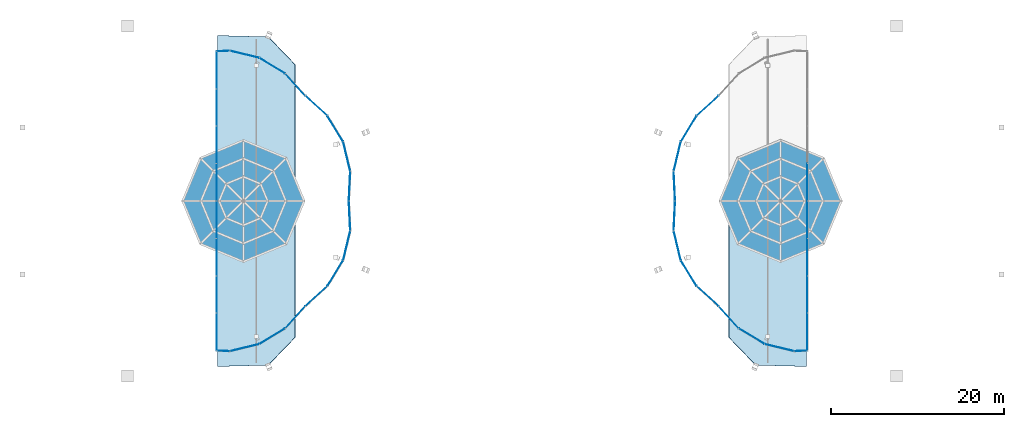
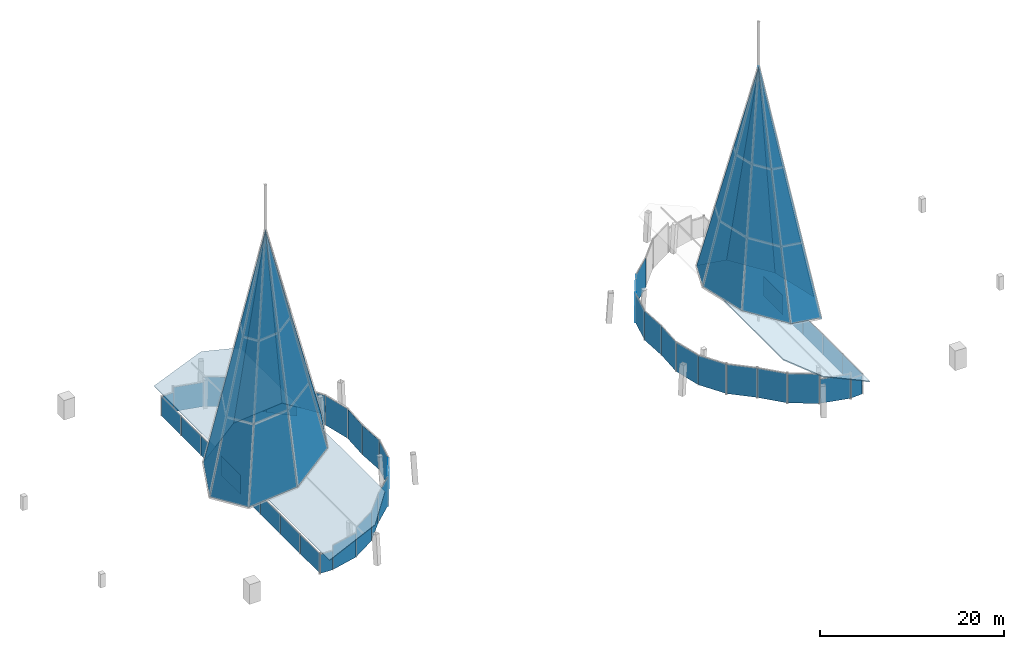
# One storey, part 12 of 16: 60 plates, 10 elements without a shape of their own.
"""IFC4 building model written with IfcOpenShell, lengths in metres."""

from ifc_helpers import new_model, si_unit, direction, frame, origin, origin_2d, place, context, subcontext, project, spatial, polyline, rectangle, outline, extrude, material, layer, layer_set, type_object, element, aggregate, save


model = new_model("IFC4")

# Units and contexts
model_context = context("Model", 3, precision=1e-05, world=origin(), true_north=direction((0.0, 1.0)))
body_context = subcontext(model_context, "Body", "Model", "MODEL_VIEW")
ifc_project = project(units=[si_unit("LENGTHUNIT", "METRE"), si_unit("AREAUNIT", "SQUARE_METRE"), si_unit("VOLUMEUNIT", "CUBIC_METRE"), si_unit("PLANEANGLEUNIT", "RADIAN"), si_unit("MASSUNIT", "GRAM", prefix="KILO")], contexts=[model_context])

# Site, building, storey
site_placement = place(None, origin())
site = spatial("IfcSite", under=ifc_project, at=site_placement, CompositionType="ELEMENT")
building_placement = place(site_placement, origin())
building = spatial("IfcBuilding", under=site, at=building_placement, Name="Ogive Gate Towers", CompositionType="ELEMENT")
storey_placement = place(building_placement, frame((0.0, 0.0, 310.0)))
storey = spatial("IfcBuildingStorey", under=building, at=storey_placement, Name="L73", CompositionType="ELEMENT", Elevation=310.0)

# Curtain wall, plates
ifc_material_1 = material(Name="Pale metal aluminium", Category="aluminium")
curtain_wall_type = type_object("IfcCurtainWallType", Name="Crown lean wall", PredefinedType="NOTDEFINED", material=ifc_material_1)
curtain_wall_1_placement = place(storey_placement, origin())
curtain_wall_1 = element("IfcCurtainWall", 1, at=curtain_wall_1_placement, inside=storey, type_object=curtain_wall_type, Name="CW5 T1 ECW01", PredefinedType="NOTDEFINED")
ifc_material_2 = material(Name="Clear glass", Category="glass")
ifc_layer_1 = layer(ifc_material_2, 0.028076171875)
ifc_layer_set_1 = layer_set([ifc_layer_1], Name="Crown lean wall glass panel")
plate_type_1 = type_object("IfcPlateType", Name="Crown lean wall glass panel", PredefinedType="CURTAIN_PANEL", material=ifc_layer_set_1)
plate_1_placement = place(storey_placement, frame((-22.583740234375, 10.98779296875, -0.2998046875), z_axis=(0.0, 0.0, 1.0), x_axis=(0.739772034167, -0.672857590776, 0.0)))
plate_1 = element("IfcPlate", 2, at=plate_1_placement, type_object=plate_type_1, Name="CW5 glass panel", PredefinedType="CURTAIN_PANEL", context=body_context, shape_type="SweptSolid", body=[
    extrude(rectangle(XDim=3.394287109375, YDim=0.028076171875, at=origin_2d()), origin(), (0.0, 0.0, 1.0), 3.904052734375),
])
plate_2_placement = place(storey_placement, frame((-20.396728515625, 8.334716796875, -0.2998046875), z_axis=(0.0, 0.0, 1.0), x_axis=(0.521188387673, -0.853441658554, 0.0)))
plate_2 = element("IfcPlate", 3, at=plate_2_placement, type_object=plate_type_1, Name="CW5 glass panel", PredefinedType="CURTAIN_PANEL", context=body_context, shape_type="SweptSolid", body=[
    extrude(rectangle(XDim=3.448486328125, YDim=0.028076171875, at=origin_2d()), origin(), (0.0, 0.0, 1.0), 3.904052734375),
])
plate_3_placement = place(storey_placement, frame((-19.0732421875, 5.139404296875, -0.2998046875), z_axis=(0.0, 0.0, 1.0), x_axis=(0.234938540911, -0.97201022731, 0.0)))
plate_3 = element("IfcPlate", 4, at=plate_3_placement, type_object=plate_type_1, Name="CW5 glass panel", PredefinedType="CURTAIN_PANEL", context=body_context, shape_type="SweptSolid", body=[
    extrude(rectangle(XDim=3.448486328125, YDim=0.028076171875, at=origin_2d()), origin(), (0.0, 0.0, 1.0), 3.904052734375),
])
plate_4_placement = place(storey_placement, frame((-18.74365234375, 1.717041015625, -0.2998046875), z_axis=(0.0, 0.0, 1.0), x_axis=(-0.047298222929, -0.998880812764, 0.0)))
plate_4 = element("IfcPlate", 5, at=plate_4_placement, type_object=plate_type_1, Name="CW5 glass panel", PredefinedType="CURTAIN_PANEL", context=body_context, shape_type="SweptSolid", body=[
    extrude(rectangle(XDim=3.39404296875, YDim=0.028076171875, at=origin_2d()), origin(), (0.0, 0.0, 1.0), 3.904052734375),
])
aggregate(curtain_wall_1, [plate_1, plate_2, plate_3, plate_4])

curtain_wall_2_placement = place(storey_placement, origin())
curtain_wall_2 = element("IfcCurtainWall", 6, at=curtain_wall_2_placement, inside=storey, type_object=curtain_wall_type, Name="CW5 T1 ECW02", PredefinedType="NOTDEFINED")
plate_5_placement = place(storey_placement, frame((-30.8623046875, 16.92724609375, -0.300048828125), z_axis=(0.0, 0.0, 1.0), x_axis=(0.97201022731, -0.234938540911, 0.0)))
plate_5 = element("IfcPlate", 7, at=plate_5_placement, type_object=plate_type_1, Name="CW5 glass panel", PredefinedType="CURTAIN_PANEL", context=body_context, shape_type="SweptSolid", body=[
    extrude(rectangle(XDim=3.452392578125, YDim=0.028076171875, at=origin_2d()), origin(), (0.0, 0.0, 1.0), 3.22216796875),
])
plate_6_placement = place(storey_placement, frame((-27.665283203125, 15.603271484375, -0.2998046875), z_axis=(0.0, 0.0, 1.0), x_axis=(0.853441658554, -0.521188387673, 0.0)))
plate_6 = element("IfcPlate", 8, at=plate_6_placement, type_object=plate_type_1, Name="CW5 glass panel", PredefinedType="CURTAIN_PANEL", context=body_context, shape_type="SweptSolid", body=[
    extrude(rectangle(XDim=3.448486328125, YDim=0.028076171875, at=origin_2d()), origin(), (0.0, 0.0, 1.0), 3.904052734375),
])
plate_7_placement = place(storey_placement, frame((-25.01220703125, 13.416259765625, -0.2998046875), z_axis=(0.0, 0.0, 1.0), x_axis=(0.672857590776, -0.739772034167, 0.0)))
plate_7 = element("IfcPlate", 9, at=plate_7_placement, type_object=plate_type_1, Name="CW5 glass panel", PredefinedType="CURTAIN_PANEL", context=body_context, shape_type="SweptSolid", body=[
    extrude(rectangle(XDim=3.394287109375, YDim=0.028076171875, at=origin_2d()), origin(), (0.0, 0.0, 1.0), 3.904052734375),
])
aggregate(curtain_wall_2, [plate_5, plate_6, plate_7])

curtain_wall_3_placement = place(storey_placement, origin())
curtain_wall_3 = element("IfcCurtainWall", 10, at=curtain_wall_3_placement, inside=storey, type_object=curtain_wall_type, Name="CW5 T1 ECW02b", PredefinedType="NOTDEFINED")
plate_8_placement = place(storey_placement, frame((-34.088134765625, 2.158203125, -0.300048828125), z_axis=(0.0, 0.0, 1.0), x_axis=(0.0, 1.0, 0.0)))
plate_8 = element("IfcPlate", 11, at=plate_8_placement, type_object=plate_type_1, Name="CW5 glass panel", PredefinedType="CURTAIN_PANEL", context=body_context, shape_type="SweptSolid", body=[
    extrude(rectangle(XDim=4.2724609375, YDim=0.028076171875, at=origin_2d()), origin(), (0.0, 0.0, 1.0), 2.583984375),
])
plate_9_placement = place(storey_placement, frame((-34.088134765625, 6.474609375, -0.300048828125), z_axis=(0.0, 0.0, 1.0), x_axis=(0.0, 1.0, 0.0)))
plate_9 = element("IfcPlate", 12, at=plate_9_placement, type_object=plate_type_1, Name="CW5 glass panel", PredefinedType="CURTAIN_PANEL", context=body_context, shape_type="SweptSolid", body=[
    extrude(rectangle(XDim=4.2724609375, YDim=0.028076171875, at=origin_2d()), origin(), (0.0, 0.0, 1.0), 2.583984375),
])
plate_10_placement = place(storey_placement, frame((-34.088134765625, 10.791015625, -0.300048828125), z_axis=(0.0, 0.0, 1.0), x_axis=(0.0, 1.0, 0.0)))
plate_10 = element("IfcPlate", 13, at=plate_10_placement, type_object=plate_type_1, Name="CW5 glass panel", PredefinedType="CURTAIN_PANEL", context=body_context, shape_type="SweptSolid", body=[
    extrude(rectangle(XDim=4.2724609375, YDim=0.028076171875, at=origin_2d()), origin(), (0.0, 0.0, 1.0), 2.583984375),
])
plate_11_placement = place(storey_placement, frame((-34.088134765625, 15.099609375, -0.300048828125), z_axis=(0.0, 0.0, 1.0), x_axis=(0.0, 1.0, 0.0)))
plate_11 = element("IfcPlate", 14, at=plate_11_placement, type_object=plate_type_1, Name="CW5 glass panel", PredefinedType="CURTAIN_PANEL", context=body_context, shape_type="SweptSolid", body=[
    extrude(rectangle(XDim=4.257080078125, YDim=0.028076171875, at=origin_2d()), origin(), (0.0, 0.0, 1.0), 2.583984375),
])
plate_12_placement = place(storey_placement, frame((-33.3173828125, 17.302001953125, -0.2998046875), z_axis=(0.0, 0.0, 1.0), x_axis=(0.998879987102, 0.047315656681, 0.0)))
plate_12 = element("IfcPlate", 15, at=plate_12_placement, type_object=plate_type_1, Name="CW5 glass panel", PredefinedType="CURTAIN_PANEL", context=body_context, shape_type="SweptSolid", body=[
    extrude(rectangle(XDim=1.468994140625, YDim=0.028076171875, at=origin_2d()), origin(), (0.0, 0.0, 1.0), 2.539306640625),
])
aggregate(curtain_wall_3, [plate_8, plate_9, plate_10, plate_11, plate_12])

curtain_wall_4_placement = place(storey_placement, origin())
curtain_wall_4 = element("IfcCurtainWall", 16, at=curtain_wall_4_placement, inside=storey, type_object=curtain_wall_type, Name="CW5 T1 ECW03", PredefinedType="NOTDEFINED")
plate_13_placement = place(storey_placement, frame((-25.01220703125, -13.416259765625, -0.2998046875), z_axis=(0.0, 0.0, 1.0), x_axis=(-0.672857590776, -0.739772034167, 0.0)))
plate_13 = element("IfcPlate", 17, at=plate_13_placement, type_object=plate_type_1, Name="CW5 glass panel", PredefinedType="CURTAIN_PANEL", context=body_context, shape_type="SweptSolid", body=[
    extrude(rectangle(XDim=3.394287109375, YDim=0.028076171875, at=origin_2d()), origin(), (0.0, 0.0, 1.0), 3.904052734375),
])
plate_14_placement = place(storey_placement, frame((-27.665283203125, -15.603271484375, -0.2998046875), z_axis=(0.0, 0.0, 1.0), x_axis=(-0.853441658554, -0.521188387673, 0.0)))
plate_14 = element("IfcPlate", 18, at=plate_14_placement, type_object=plate_type_1, Name="CW5 glass panel", PredefinedType="CURTAIN_PANEL", context=body_context, shape_type="SweptSolid", body=[
    extrude(rectangle(XDim=3.448486328125, YDim=0.028076171875, at=origin_2d()), origin(), (0.0, 0.0, 1.0), 3.904052734375),
])
plate_15_placement = place(storey_placement, frame((-30.860595703125, -16.9267578125, -0.300048828125), z_axis=(0.0, 0.0, 1.0), x_axis=(-0.97201022731, -0.234938540911, 0.0)))
plate_15 = element("IfcPlate", 19, at=plate_15_placement, type_object=plate_type_1, Name="CW5 glass panel", PredefinedType="CURTAIN_PANEL", context=body_context, shape_type="SweptSolid", body=[
    extrude(rectangle(XDim=3.448486328125, YDim=0.028076171875, at=origin_2d()), origin(), (0.0, 0.0, 1.0), 3.22216796875),
])
plate_16_placement = place(storey_placement, frame((-33.3193359375, -17.302001953125, -0.2998046875), z_axis=(0.0, 0.0, 1.0), x_axis=(-0.998879987102, 0.047315656681, 0.0)))
plate_16 = element("IfcPlate", 20, at=plate_16_placement, type_object=plate_type_1, Name="CW5 glass panel", PredefinedType="CURTAIN_PANEL", context=body_context, shape_type="SweptSolid", body=[
    extrude(rectangle(XDim=1.46484375, YDim=0.028076171875, at=origin_2d()), origin(), (0.0, 0.0, 1.0), 2.539306640625),
])
plate_17_placement = place(storey_placement, frame((-34.088134765625, -15.099609375, -0.300048828125), z_axis=(0.0, 0.0, 1.0), x_axis=(0.0, 1.0, 0.0)))
plate_17 = element("IfcPlate", 21, at=plate_17_placement, type_object=plate_type_1, Name="CW5 glass panel", PredefinedType="CURTAIN_PANEL", context=body_context, shape_type="SweptSolid", body=[
    extrude(rectangle(XDim=4.257080078125, YDim=0.028076171875, at=origin_2d()), origin(), (0.0, 0.0, 1.0), 2.583984375),
])
plate_18_placement = place(storey_placement, frame((-34.088134765625, -10.791015625, -0.300048828125), z_axis=(0.0, 0.0, 1.0), x_axis=(0.0, 1.0, 0.0)))
plate_18 = element("IfcPlate", 22, at=plate_18_placement, type_object=plate_type_1, Name="CW5 glass panel", PredefinedType="CURTAIN_PANEL", context=body_context, shape_type="SweptSolid", body=[
    extrude(rectangle(XDim=4.2724609375, YDim=0.028076171875, at=origin_2d()), origin(), (0.0, 0.0, 1.0), 2.583984375),
])
plate_19_placement = place(storey_placement, frame((-34.088134765625, -6.474609375, -0.300048828125), z_axis=(0.0, 0.0, 1.0), x_axis=(0.0, 1.0, 0.0)))
plate_19 = element("IfcPlate", 23, at=plate_19_placement, type_object=plate_type_1, Name="CW5 glass panel", PredefinedType="CURTAIN_PANEL", context=body_context, shape_type="SweptSolid", body=[
    extrude(rectangle(XDim=4.2724609375, YDim=0.028076171875, at=origin_2d()), origin(), (0.0, 0.0, 1.0), 2.583984375),
])
plate_20_placement = place(storey_placement, frame((-34.088134765625, -2.158203125, -0.300048828125), z_axis=(0.0, 0.0, 1.0), x_axis=(0.0, 1.0, 0.0)))
plate_20 = element("IfcPlate", 24, at=plate_20_placement, type_object=plate_type_1, Name="CW5 glass panel", PredefinedType="CURTAIN_PANEL", context=body_context, shape_type="SweptSolid", body=[
    extrude(rectangle(XDim=4.2724609375, YDim=0.028076171875, at=origin_2d()), origin(), (0.0, 0.0, 1.0), 2.583984375),
])
aggregate(curtain_wall_4, [plate_13, plate_14, plate_15, plate_16, plate_17, plate_18, plate_19, plate_20])

curtain_wall_5_placement = place(storey_placement, origin())
curtain_wall_5 = element("IfcCurtainWall", 25, at=curtain_wall_5_placement, inside=storey, type_object=curtain_wall_type, Name="CW5 T1 ECW04", PredefinedType="NOTDEFINED")
plate_21_placement = place(storey_placement, frame((-18.74365234375, -1.717041015625, -0.2998046875), z_axis=(0.0, 0.0, 1.0), x_axis=(0.047298222929, -0.998880812764, 0.0)))
plate_21 = element("IfcPlate", 26, at=plate_21_placement, type_object=plate_type_1, Name="CW5 glass panel", PredefinedType="CURTAIN_PANEL", context=body_context, shape_type="SweptSolid", body=[
    extrude(rectangle(XDim=3.39404296875, YDim=0.028076171875, at=origin_2d()), origin(), (0.0, 0.0, 1.0), 3.904052734375),
])
plate_22_placement = place(storey_placement, frame((-19.0732421875, -5.139404296875, -0.2998046875), z_axis=(0.0, 0.0, 1.0), x_axis=(-0.234938540911, -0.97201022731, 0.0)))
plate_22 = element("IfcPlate", 27, at=plate_22_placement, type_object=plate_type_1, Name="CW5 glass panel", PredefinedType="CURTAIN_PANEL", context=body_context, shape_type="SweptSolid", body=[
    extrude(rectangle(XDim=3.448486328125, YDim=0.028076171875, at=origin_2d()), origin(), (0.0, 0.0, 1.0), 3.904052734375),
])
plate_23_placement = place(storey_placement, frame((-20.396728515625, -8.334716796875, -0.2998046875), z_axis=(0.0, 0.0, 1.0), x_axis=(-0.521188387673, -0.853441658554, 0.0)))
plate_23 = element("IfcPlate", 28, at=plate_23_placement, type_object=plate_type_1, Name="CW5 glass panel", PredefinedType="CURTAIN_PANEL", context=body_context, shape_type="SweptSolid", body=[
    extrude(rectangle(XDim=3.448486328125, YDim=0.028076171875, at=origin_2d()), origin(), (0.0, 0.0, 1.0), 3.904052734375),
])
plate_24_placement = place(storey_placement, frame((-22.583740234375, -10.98779296875, -0.2998046875), z_axis=(0.0, 0.0, 1.0), x_axis=(-0.739772034167, -0.672857590776, 0.0)))
plate_24 = element("IfcPlate", 29, at=plate_24_placement, type_object=plate_type_1, Name="CW5 glass panel", PredefinedType="CURTAIN_PANEL", context=body_context, shape_type="SweptSolid", body=[
    extrude(rectangle(XDim=3.394287109375, YDim=0.028076171875, at=origin_2d()), origin(), (0.0, 0.0, 1.0), 3.904052734375),
])
aggregate(curtain_wall_5, [plate_21, plate_22, plate_23, plate_24])

# Curtain wall, plate
curtain_wall_6_placement = place(storey_placement, origin())
curtain_wall_6 = element("IfcCurtainWall", 30, at=curtain_wall_6_placement, inside=storey, type_object=curtain_wall_type, Name="CW5 T2 ECW01", PredefinedType="NOTDEFINED")
plate_25_placement = place(storey_placement, frame((34.088134765625, 2.158203125, -0.300048828125), z_axis=(0.0, 0.0, 1.0), x_axis=(0.0, -1.0, 0.0)))
plate_25 = element("IfcPlate", 31, at=plate_25_placement, type_object=plate_type_1, Name="CW5 glass panel", PredefinedType="CURTAIN_PANEL", context=body_context, shape_type="SweptSolid", body=[
    extrude(rectangle(XDim=4.2724609375, YDim=0.028076171875, at=origin_2d()), origin(), (0.0, 0.0, 1.0), 2.583984375),
])
aggregate(curtain_wall_6, [plate_25])

# Curtain wall, plates
curtain_wall_7_placement = place(storey_placement, origin())
curtain_wall_7 = element("IfcCurtainWall", 32, at=curtain_wall_7_placement, inside=storey, type_object=curtain_wall_type, Name="CW5 T2 ECW02", PredefinedType="NOTDEFINED")
plate_26_placement = place(storey_placement, frame((18.74365234375, 1.717041015625, -0.2998046875), z_axis=(0.0, 0.0, 1.0), x_axis=(-0.047298222929, 0.998880812764, 0.0)))
plate_26 = element("IfcPlate", 33, at=plate_26_placement, type_object=plate_type_1, Name="CW5 glass panel", PredefinedType="CURTAIN_PANEL", context=body_context, shape_type="SweptSolid", body=[
    extrude(rectangle(XDim=3.39404296875, YDim=0.028076171875, at=origin_2d()), origin(), (0.0, 0.0, 1.0), 3.904052734375),
])
plate_27_placement = place(storey_placement, frame((19.0732421875, 5.139404296875, -0.2998046875), z_axis=(0.0, 0.0, 1.0), x_axis=(0.234938540911, 0.97201022731, 0.0)))
plate_27 = element("IfcPlate", 34, at=plate_27_placement, type_object=plate_type_1, Name="CW5 glass panel", PredefinedType="CURTAIN_PANEL", context=body_context, shape_type="SweptSolid", body=[
    extrude(rectangle(XDim=3.448486328125, YDim=0.028076171875, at=origin_2d()), origin(), (0.0, 0.0, 1.0), 3.904052734375),
])
plate_28_placement = place(storey_placement, frame((20.396728515625, 8.334716796875, -0.2998046875), z_axis=(0.0, 0.0, 1.0), x_axis=(0.521188387673, 0.853441658554, 0.0)))
plate_28 = element("IfcPlate", 35, at=plate_28_placement, type_object=plate_type_1, Name="CW5 glass panel", PredefinedType="CURTAIN_PANEL", context=body_context, shape_type="SweptSolid", body=[
    extrude(rectangle(XDim=3.448486328125, YDim=0.028076171875, at=origin_2d()), origin(), (0.0, 0.0, 1.0), 3.904052734375),
])
plate_29_placement = place(storey_placement, frame((22.583740234375, 10.98779296875, -0.2998046875), z_axis=(0.0, 0.0, 1.0), x_axis=(0.739772034167, 0.672857590776, 0.0)))
plate_29 = element("IfcPlate", 36, at=plate_29_placement, type_object=plate_type_1, Name="CW5 glass panel", PredefinedType="CURTAIN_PANEL", context=body_context, shape_type="SweptSolid", body=[
    extrude(rectangle(XDim=3.394287109375, YDim=0.028076171875, at=origin_2d()), origin(), (0.0, 0.0, 1.0), 3.904052734375),
])
aggregate(curtain_wall_7, [plate_26, plate_27, plate_28, plate_29])

curtain_wall_8_placement = place(storey_placement, origin())
curtain_wall_8 = element("IfcCurtainWall", 37, at=curtain_wall_8_placement, inside=storey, type_object=curtain_wall_type, Name="CW5 T2 ECW03", PredefinedType="NOTDEFINED")
plate_30_placement = place(storey_placement, frame((22.583740234375, -10.98779296875, -0.2998046875), z_axis=(0.0, 0.0, 1.0), x_axis=(-0.739772034167, 0.672857590776, 0.0)))
plate_30 = element("IfcPlate", 38, at=plate_30_placement, type_object=plate_type_1, Name="CW5 glass panel", PredefinedType="CURTAIN_PANEL", context=body_context, shape_type="SweptSolid", body=[
    extrude(rectangle(XDim=3.394287109375, YDim=0.028076171875, at=origin_2d()), origin(), (0.0, 0.0, 1.0), 3.904052734375),
])
plate_31_placement = place(storey_placement, frame((20.396728515625, -8.334716796875, -0.2998046875), z_axis=(0.0, 0.0, 1.0), x_axis=(-0.521188387673, 0.853441658554, 0.0)))
plate_31 = element("IfcPlate", 39, at=plate_31_placement, type_object=plate_type_1, Name="CW5 glass panel", PredefinedType="CURTAIN_PANEL", context=body_context, shape_type="SweptSolid", body=[
    extrude(rectangle(XDim=3.448486328125, YDim=0.028076171875, at=origin_2d()), origin(), (0.0, 0.0, 1.0), 3.904052734375),
])
plate_32_placement = place(storey_placement, frame((19.0732421875, -5.139404296875, -0.2998046875), z_axis=(0.0, 0.0, 1.0), x_axis=(-0.234938540911, 0.97201022731, 0.0)))
plate_32 = element("IfcPlate", 40, at=plate_32_placement, type_object=plate_type_1, Name="CW5 glass panel", PredefinedType="CURTAIN_PANEL", context=body_context, shape_type="SweptSolid", body=[
    extrude(rectangle(XDim=3.448486328125, YDim=0.028076171875, at=origin_2d()), origin(), (0.0, 0.0, 1.0), 3.904052734375),
])
plate_33_placement = place(storey_placement, frame((18.74365234375, -1.717041015625, -0.2998046875), z_axis=(0.0, 0.0, 1.0), x_axis=(0.047298222929, 0.998880812764, 0.0)))
plate_33 = element("IfcPlate", 41, at=plate_33_placement, type_object=plate_type_1, Name="CW5 glass panel", PredefinedType="CURTAIN_PANEL", context=body_context, shape_type="SweptSolid", body=[
    extrude(rectangle(XDim=3.39404296875, YDim=0.028076171875, at=origin_2d()), origin(), (0.0, 0.0, 1.0), 3.904052734375),
])
aggregate(curtain_wall_8, [plate_30, plate_31, plate_32, plate_33])

curtain_wall_9_placement = place(storey_placement, origin())
curtain_wall_9 = element("IfcCurtainWall", 42, at=curtain_wall_9_placement, inside=storey, type_object=curtain_wall_type, Name="CW5 T2 ECW04", PredefinedType="NOTDEFINED")
plate_34_placement = place(storey_placement, frame((30.8623046875, -16.92724609375, -0.300048828125), z_axis=(0.0, 0.0, 1.0), x_axis=(-0.97201022731, 0.234938540911, 0.0)))
plate_34 = element("IfcPlate", 43, at=plate_34_placement, type_object=plate_type_1, Name="CW5 glass panel", PredefinedType="CURTAIN_PANEL", context=body_context, shape_type="SweptSolid", body=[
    extrude(rectangle(XDim=3.452392578125, YDim=0.028076171875, at=origin_2d()), origin(), (0.0, 0.0, 1.0), 3.22216796875),
])
plate_35_placement = place(storey_placement, frame((27.665283203125, -15.603271484375, -0.2998046875), z_axis=(0.0, 0.0, 1.0), x_axis=(-0.853441658554, 0.521188387673, 0.0)))
plate_35 = element("IfcPlate", 44, at=plate_35_placement, type_object=plate_type_1, Name="CW5 glass panel", PredefinedType="CURTAIN_PANEL", context=body_context, shape_type="SweptSolid", body=[
    extrude(rectangle(XDim=3.448486328125, YDim=0.028076171875, at=origin_2d()), origin(), (0.0, 0.0, 1.0), 3.904052734375),
])
plate_36_placement = place(storey_placement, frame((25.01220703125, -13.416259765625, -0.2998046875), z_axis=(0.0, 0.0, 1.0), x_axis=(-0.672857590776, 0.739772034167, 0.0)))
plate_36 = element("IfcPlate", 45, at=plate_36_placement, type_object=plate_type_1, Name="CW5 glass panel", PredefinedType="CURTAIN_PANEL", context=body_context, shape_type="SweptSolid", body=[
    extrude(rectangle(XDim=3.394287109375, YDim=0.028076171875, at=origin_2d()), origin(), (0.0, 0.0, 1.0), 3.904052734375),
])
aggregate(curtain_wall_9, [plate_34, plate_35, plate_36])

curtain_wall_10_placement = place(storey_placement, origin())
curtain_wall_10 = element("IfcCurtainWall", 46, at=curtain_wall_10_placement, inside=storey, type_object=curtain_wall_type, Name="CW5 T2 ECW04b", PredefinedType="NOTDEFINED")
plate_37_placement = place(storey_placement, frame((34.088134765625, -2.158203125, -0.300048828125), z_axis=(0.0, 0.0, 1.0), x_axis=(0.0, -1.0, 0.0)))
plate_37 = element("IfcPlate", 47, at=plate_37_placement, type_object=plate_type_1, Name="CW5 glass panel", PredefinedType="CURTAIN_PANEL", context=body_context, shape_type="SweptSolid", body=[
    extrude(rectangle(XDim=4.2724609375, YDim=0.028076171875, at=origin_2d()), origin(), (0.0, 0.0, 1.0), 2.583984375),
])
plate_38_placement = place(storey_placement, frame((34.088134765625, -6.474609375, -0.300048828125), z_axis=(0.0, 0.0, 1.0), x_axis=(0.0, -1.0, 0.0)))
plate_38 = element("IfcPlate", 48, at=plate_38_placement, type_object=plate_type_1, Name="CW5 glass panel", PredefinedType="CURTAIN_PANEL", context=body_context, shape_type="SweptSolid", body=[
    extrude(rectangle(XDim=4.2724609375, YDim=0.028076171875, at=origin_2d()), origin(), (0.0, 0.0, 1.0), 2.583984375),
])
plate_39_placement = place(storey_placement, frame((34.088134765625, -10.791015625, -0.300048828125), z_axis=(0.0, 0.0, 1.0), x_axis=(0.0, -1.0, 0.0)))
plate_39 = element("IfcPlate", 49, at=plate_39_placement, type_object=plate_type_1, Name="CW5 glass panel", PredefinedType="CURTAIN_PANEL", context=body_context, shape_type="SweptSolid", body=[
    extrude(rectangle(XDim=4.2724609375, YDim=0.028076171875, at=origin_2d()), origin(), (0.0, 0.0, 1.0), 2.583984375),
])
plate_40_placement = place(storey_placement, frame((34.088134765625, -15.099609375, -0.300048828125), z_axis=(0.0, 0.0, 1.0), x_axis=(0.0, -1.0, 0.0)))
plate_40 = element("IfcPlate", 50, at=plate_40_placement, type_object=plate_type_1, Name="CW5 glass panel", PredefinedType="CURTAIN_PANEL", context=body_context, shape_type="SweptSolid", body=[
    extrude(rectangle(XDim=4.257080078125, YDim=0.028076171875, at=origin_2d()), origin(), (0.0, 0.0, 1.0), 2.583984375),
])
plate_41_placement = place(storey_placement, frame((33.3173828125, -17.302001953125, -0.2998046875), z_axis=(0.0, 0.0, 1.0), x_axis=(-0.998879987102, -0.047315656681, 0.0)))
plate_41 = element("IfcPlate", 51, at=plate_41_placement, type_object=plate_type_1, Name="CW5 glass panel", PredefinedType="CURTAIN_PANEL", context=body_context, shape_type="SweptSolid", body=[
    extrude(rectangle(XDim=1.468994140625, YDim=0.028076171875, at=origin_2d()), origin(), (0.0, 0.0, 1.0), 2.539306640625),
])
aggregate(curtain_wall_10, [plate_37, plate_38, plate_39, plate_40, plate_41])

# Plates
ifc_layer_2 = layer(ifc_material_2, 0.1201171875)
ifc_layer_set_2 = layer_set([ifc_layer_2], Name="Glazed crown roof")
plate_type_2 = type_object("IfcPlateType", Name="Glazed crown roof", PredefinedType="SHEET", material=ifc_layer_set_2)
plate_42_placement = place(storey_placement, frame((-25.047119140625, 2.52783203125, 6.531005859375), z_axis=(-0.408365976674, 1.752866e-06, 0.912818289197), x_axis=(-0.377188380039, 0.91063408119, -0.168743877338)))
element("IfcPlate", 52, at=plate_42_placement, inside=storey, type_object=plate_type_2, Name="Glazed crown roof", PredefinedType="SHEET", context=body_context, shape_type="SweptSolid", body=[
    extrude(outline(polyline([(0.0, 0.0), (2.659547945686246, -3.3306690738754696e-16), (6.767245503840791, 4.090659099161297), (6.992810067402706, 7.583282196251067), (19.143638942731645, 2.0696635172903397), (16.36511009939066, -3.6961615852815686), (12.037444260727671, -5.46216872971145), (0.0, 0.0)])), origin(), (0.0, 0.0, -1.0), 0.1201171875),
])
plate_43_placement = place(storey_placement, frame((-25.047119140625, -15.74658203125, 6.531005859375), z_axis=(-0.408365976674, -1.752866e-06, 0.912818289197), x_axis=(-0.663295406154, -0.687011913158, -0.296738665081)))
element("IfcPlate", 53, at=plate_43_placement, inside=storey, type_object=plate_type_2, Name="Glazed crown roof", PredefinedType="SHEET", context=body_context, shape_type="SweptSolid", body=[
    extrude(outline(polyline([(0.0, 0.0), (4.674128030478838, 2.7755575615628914e-16), (9.42518160388015, -4.288642161500163), (0.2582018427150172, -13.984471953369502), (-1.270246961386161, -10.835958062038946), (-6.619025477829481, -8.60050744150305), (-9.081438727056115, -9.605353830478528), (0.0, 0.0)])), origin(), (0.0, 0.0, -1.0), 0.1201171875),
])
plate_44_placement = place(storey_placement, frame((25.047119140625, -2.52783203125, 6.531005859375), z_axis=(0.408365976674, -1.752866e-06, 0.912818289197), x_axis=(0.377188380039, -0.91063408119, -0.168743877338)))
element("IfcPlate", 54, at=plate_44_placement, inside=storey, type_object=plate_type_2, Name="Glazed crown roof", PredefinedType="SHEET", context=body_context, shape_type="SweptSolid", body=[
    extrude(outline(polyline([(0.0, 0.0), (2.659547945686246, -3.3306690738754696e-16), (6.767245503840791, 4.090659099161297), (6.992810067402706, 7.583282196251067), (19.143638942731645, 2.0696635172903397), (16.36511009939066, -3.6961615852815686), (12.037444260727671, -5.46216872971145), (0.0, 0.0)])), origin(), (0.0, 0.0, -1.0), 0.1201171875),
])
ifc_layer_3 = layer(ifc_material_2, 0.0400390625)
ifc_layer_set_3 = layer_set([ifc_layer_3], Name="Lantern glass 40")
plate_type_3 = type_object("IfcPlateType", Name="Lantern glass 40", PredefinedType="SHEET", material=ifc_layer_set_3)
plate_45_placement = place(storey_placement, frame((-31.0, 0.0, 33.867919921875), z_axis=(0.883267686411, 0.408514900075, 0.230116862828), x_axis=(0.252113335072, 0.0, -0.967697714309)))
element("IfcPlate", 55, at=plate_45_placement, inside=storey, type_object=plate_type_3, Name="Lantern glass", PredefinedType="SHEET", context=body_context, shape_type="SweptSolid", body=[
    extrude(outline(polyline([(0.0, 0.0), (27.765290550789395, 4.440892098500626e-16), (28.13599185077112, 5.4228409510823266), (0.0, 0.0)])), origin(), (0.0, 0.0, -1.0), 0.0400390625),
])
plate_46_placement = place(storey_placement, frame((-31.0, 0.0, 33.867919921875), z_axis=(0.288870127841, 0.93232469703, 0.217542429307), x_axis=(0.172741627856, 0.172741627856, -0.969701325157)))
element("IfcPlate", 56, at=plate_46_placement, inside=storey, type_object=plate_type_3, Name="Lantern glass", PredefinedType="SHEET", context=body_context, shape_type="SweptSolid", body=[
    extrude(outline(polyline([(0.0, 0.0), (28.653817222272398, -4.440892098500626e-16), (30.30023114970494, 5.558416345907401), (0.0, 0.0)])), origin(), (0.0, 0.0, -1.0), 0.0400390625),
])
plate_47_placement = place(storey_placement, frame((-31.0, 0.0, 33.867919921875), z_axis=(-0.450812884002, 0.869268656463, 0.202829353175), x_axis=(0.0, 0.227229615606, -0.973841209742)))
element("IfcPlate", 57, at=plate_47_placement, inside=storey, type_object=plate_type_3, Name="Lantern glass", PredefinedType="SHEET", context=body_context, shape_type="SweptSolid", body=[
    extrude(outline(polyline([(0.0, 0.0), (30.805843601498726, 0.0), (32.49638692681498, 5.545154133125885), (0.0, 0.0)])), origin(), (0.0, 0.0, -1.0), 0.0400390625),
])
plate_48_placement = place(storey_placement, frame((-31.0, 0.0, 33.867919921875), z_axis=(-0.918507074974, 0.344507017554, 0.194060990617), x_axis=(-0.15014535214, 0.15014535214, -0.977196370471)))
element("IfcPlate", 58, at=plate_48_placement, inside=storey, type_object=plate_type_3, Name="Lantern glass", PredefinedType="SHEET", context=body_context, shape_type="SweptSolid", body=[
    extrude(outline(polyline([(0.0, 0.0), (32.96610225151579, 1.3322676295501878e-15), (33.427088716808626, 5.415913119074237), (0.0, 0.0)])), origin(), (0.0, 0.0, -1.0), 0.0400390625),
])
plate_49_placement = place(storey_placement, frame((-31.0, 0.0, 33.867919921875), z_axis=(-0.918507074974, -0.344507017554, 0.194060990617), x_axis=(-0.206715329492, 0.0, -0.978401130699)))
element("IfcPlate", 59, at=plate_49_placement, inside=storey, type_object=plate_type_3, Name="Lantern glass", PredefinedType="SHEET", context=body_context, shape_type="SweptSolid", body=[
    extrude(outline(polyline([(0.0, 0.0), (33.86299418236307, -4.440892098500626e-16), (32.54174213521672, 5.2724677772799335), (0.0, 0.0)])), origin(), (0.0, 0.0, -1.0), 0.0400390625),
])
plate_50_placement = place(storey_placement, frame((-31.0, 0.0, 33.867919921875), z_axis=(-0.450812884002, -0.869268656463, 0.202829353175), x_axis=(-0.15014535214, -0.15014535214, -0.977196370471)))
element("IfcPlate", 60, at=plate_50_placement, inside=storey, type_object=plate_type_3, Name="Lantern glass", PredefinedType="SHEET", context=body_context, shape_type="SweptSolid", body=[
    extrude(outline(polyline([(0.0, 0.0), (32.96610225151579, 4.440892098500626e-16), (30.36690857910629, 5.181781869994224), (0.0, 0.0)])), origin(), (0.0, 0.0, -1.0), 0.0400390625),
])
plate_51_placement = place(storey_placement, frame((-31.0, 0.0, 33.867919921875), z_axis=(0.288870127841, -0.93232469703, 0.217542429307), x_axis=(0.0, -0.227229615606, -0.973841209742)))
element("IfcPlate", 61, at=plate_51_placement, inside=storey, type_object=plate_type_3, Name="Lantern glass", PredefinedType="SHEET", context=body_context, shape_type="SweptSolid", body=[
    extrude(outline(polyline([(0.0, 0.0), (30.805843601498726, 0.0), (28.183525709843263, 5.170117984146791), (0.0, 0.0)])), origin(), (0.0, 0.0, -1.0), 0.0400390625),
])
plate_52_placement = place(storey_placement, frame((-31.0, 0.0, 33.867919921875), z_axis=(0.883267686411, -0.408514900075, 0.230116862828), x_axis=(0.172741627856, -0.172741627856, -0.969701325157)))
element("IfcPlate", 62, at=plate_52_placement, inside=storey, type_object=plate_type_3, Name="Lantern glass", PredefinedType="SHEET", context=body_context, shape_type="SweptSolid", body=[
    extrude(outline(polyline([(0.0, 0.0), (28.653817222272398, -4.440892098500626e-16), (27.263522434423805, 5.254683990253328), (0.0, 0.0)])), origin(), (0.0, 0.0, -1.0), 0.0400390625),
])
plate_53_placement = place(storey_placement, frame((31.0, 0.0, 33.867919921875), z_axis=(0.918507074974, 0.344507017554, 0.194060990617), x_axis=(0.206715329492, 0.0, -0.978401130699)))
element("IfcPlate", 63, at=plate_53_placement, inside=storey, type_object=plate_type_3, Name="Lantern glass", PredefinedType="SHEET", context=body_context, shape_type="SweptSolid", body=[
    extrude(outline(polyline([(0.0, 0.0), (33.86299418236307, -4.440892098500626e-16), (32.54174213521672, 5.2724677772799335), (0.0, 0.0)])), origin(), (0.0, 0.0, -1.0), 0.0400390625),
])
plate_54_placement = place(storey_placement, frame((31.0, 0.0, 33.867919921875), z_axis=(0.450812884002, 0.869268656463, 0.202829353175), x_axis=(0.15014535214, 0.15014535214, -0.977196370471)))
element("IfcPlate", 64, at=plate_54_placement, inside=storey, type_object=plate_type_3, Name="Lantern glass", PredefinedType="SHEET", context=body_context, shape_type="SweptSolid", body=[
    extrude(outline(polyline([(0.0, 0.0), (32.96610225151579, 4.440892098500626e-16), (30.36690857910629, 5.181781869994224), (0.0, 0.0)])), origin(), (0.0, 0.0, -1.0), 0.0400390625),
])
plate_55_placement = place(storey_placement, frame((31.0, 0.0, 33.867919921875), z_axis=(-0.288870127841, 0.93232469703, 0.217542429307), x_axis=(0.0, 0.227229615606, -0.973841209742)))
element("IfcPlate", 65, at=plate_55_placement, inside=storey, type_object=plate_type_3, Name="Lantern glass", PredefinedType="SHEET", context=body_context, shape_type="SweptSolid", body=[
    extrude(outline(polyline([(0.0, 0.0), (30.805843601498726, 0.0), (28.183525709843263, 5.170117984146791), (0.0, 0.0)])), origin(), (0.0, 0.0, -1.0), 0.0400390625),
])
plate_56_placement = place(storey_placement, frame((31.0, 0.0, 33.867919921875), z_axis=(-0.883267686411, 0.408514900075, 0.230116862828), x_axis=(-0.172741627856, 0.172741627856, -0.969701325157)))
element("IfcPlate", 66, at=plate_56_placement, inside=storey, type_object=plate_type_3, Name="Lantern glass", PredefinedType="SHEET", context=body_context, shape_type="SweptSolid", body=[
    extrude(outline(polyline([(0.0, 0.0), (28.653817222272398, -4.440892098500626e-16), (27.263522434423805, 5.254683990253328), (0.0, 0.0)])), origin(), (0.0, 0.0, -1.0), 0.0400390625),
])
plate_57_placement = place(storey_placement, frame((31.0, 0.0, 33.867919921875), z_axis=(-0.883267686411, -0.408514900075, 0.230116862828), x_axis=(-0.252113335072, 0.0, -0.967697714309)))
element("IfcPlate", 67, at=plate_57_placement, inside=storey, type_object=plate_type_3, Name="Lantern glass", PredefinedType="SHEET", context=body_context, shape_type="SweptSolid", body=[
    extrude(outline(polyline([(0.0, 0.0), (27.765290550789395, 4.440892098500626e-16), (28.13599185077112, 5.4228409510823266), (0.0, 0.0)])), origin(), (0.0, 0.0, -1.0), 0.0400390625),
])
plate_58_placement = place(storey_placement, frame((31.0, 0.0, 33.867919921875), z_axis=(-0.288870127841, -0.93232469703, 0.217542429307), x_axis=(-0.172741627856, -0.172741627856, -0.969701325157)))
element("IfcPlate", 68, at=plate_58_placement, inside=storey, type_object=plate_type_3, Name="Lantern glass", PredefinedType="SHEET", context=body_context, shape_type="SweptSolid", body=[
    extrude(outline(polyline([(0.0, 0.0), (28.653817222272398, -4.440892098500626e-16), (30.30023114970494, 5.558416345907401), (0.0, 0.0)])), origin(), (0.0, 0.0, -1.0), 0.0400390625),
])
plate_59_placement = place(storey_placement, frame((31.0, 0.0, 33.867919921875), z_axis=(0.450812884002, -0.869268656463, 0.202829353175), x_axis=(0.0, -0.227229615606, -0.973841209742)))
element("IfcPlate", 69, at=plate_59_placement, inside=storey, type_object=plate_type_3, Name="Lantern glass", PredefinedType="SHEET", context=body_context, shape_type="SweptSolid", body=[
    extrude(outline(polyline([(0.0, 0.0), (30.805843601498726, 0.0), (32.49638692681498, 5.545154133125885), (0.0, 0.0)])), origin(), (0.0, 0.0, -1.0), 0.0400390625),
])
plate_60_placement = place(storey_placement, frame((31.0, 0.0, 33.867919921875), z_axis=(0.918507074974, -0.344507017554, 0.194060990617), x_axis=(0.15014535214, -0.15014535214, -0.977196370471)))
element("IfcPlate", 70, at=plate_60_placement, inside=storey, type_object=plate_type_3, Name="Lantern glass", PredefinedType="SHEET", context=body_context, shape_type="SweptSolid", body=[
    extrude(outline(polyline([(0.0, 0.0), (32.96610225151579, 1.3322676295501878e-15), (33.427088716808626, 5.415913119074237), (0.0, 0.0)])), origin(), (0.0, 0.0, -1.0), 0.0400390625),
])

save(model, "model.ifc")
